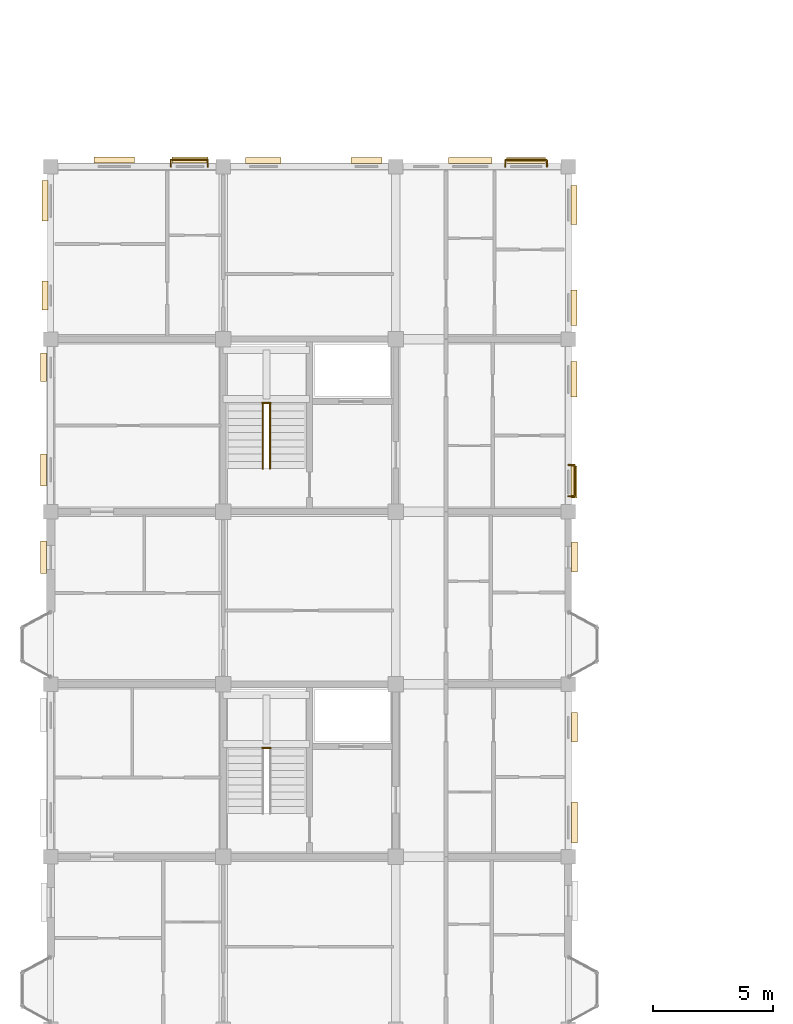
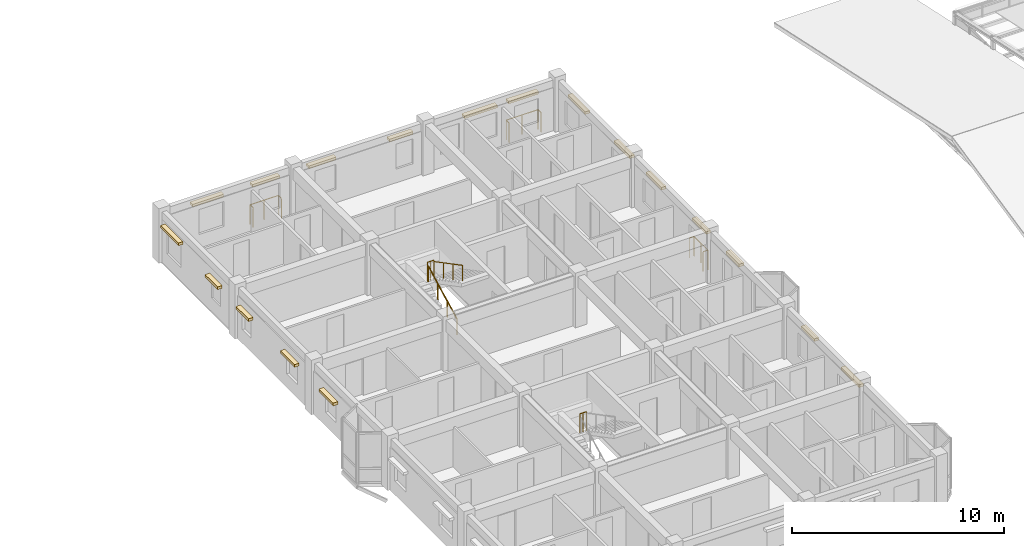
# One storey, part 118 of 124: 18 coverings, 7 railings.
"""IFC4 building model written with IfcOpenShell, lengths in metres."""

from ifc_helpers import new_model, si_unit, direction, frame, origin, origin_2d, place, context, subcontext, project, spatial, rectangle, circle, extrude, material, layer, layer_set, type_object, element, save


model = new_model("IFC4")

# Units and contexts
model_context = context("Model", 3, precision=1e-05, world=origin(), true_north=direction((0.0, 1.0)))
body_context = subcontext(model_context, "Body", "Model", "MODEL_VIEW")
ifc_project = project(units=[si_unit("LENGTHUNIT", "METRE"), si_unit("AREAUNIT", "SQUARE_METRE"), si_unit("VOLUMEUNIT", "CUBIC_METRE"), si_unit("PLANEANGLEUNIT", "RADIAN"), si_unit("MASSUNIT", "GRAM", prefix="KILO"), si_unit("THERMODYNAMICTEMPERATUREUNIT", "KELVIN"), si_unit("POWERUNIT", "WATT")], contexts=[model_context])

# Site, building, storey
site_placement = place(None, origin())
site = spatial("IfcSite", under=ifc_project, at=site_placement, CompositionType="ELEMENT")
building_placement = place(site_placement, origin())
building = spatial("IfcBuilding", under=site, at=building_placement, Name="Tavuni Mirador Residences", CompositionType="ELEMENT")
storey_placement = place(building_placement, frame((0.0, 0.0, 7.64990234375)))
storey = spatial("IfcBuildingStorey", under=building, at=storey_placement, Name="L02", CompositionType="ELEMENT", Elevation=7.64990234375)

# Coverings
ifc_material_1 = material(Name="Natural coral limestone", Category="masonry")
ifc_layer = layer(ifc_material_1, 0.054931640625, Name="Natural coral limestone", Category="masonry")
ifc_layer_set = layer_set([ifc_layer], Name="Natural coral limestone")
covering_type = type_object("IfcCoveringType", Name="CVT-CLAD-CORAL", PredefinedType="CLADDING", material=ifc_layer_set)
covering_1_placement = place(storey_placement, frame((25.467041015625, 73.429931640625, 2.065185546875), z_axis=(0.0, 0.0, 1.0), x_axis=(0.0, 1.0, 0.0)))
element("IfcCovering", 1, at=covering_1_placement, inside=storey, type_object=covering_type, Name="HOOD-0365", PredefinedType="CLADDING", context=body_context, shape_type="SweptSolid", body=[
    extrude(rectangle(XDim=1.699951171875, YDim=0.25, at=origin_2d()), origin(), (0.0, 0.0, 1.0), 0.14990234375),
])
covering_2_placement = place(storey_placement, frame((25.467041015625, 77.39990234375, 2.1650390625), z_axis=(0.0, 0.0, 1.0), x_axis=(0.0, 1.0, 0.0)))
element("IfcCovering", 2, at=covering_2_placement, inside=storey, type_object=covering_type, Name="HOOD-0366", PredefinedType="CLADDING", context=body_context, shape_type="SweptSolid", body=[
    extrude(rectangle(XDim=1.239990234375, YDim=0.25, at=origin_2d()), origin(), (0.0, 0.0, 1.0), 0.14990234375),
])
covering_3_placement = place(storey_placement, frame((25.464599609375, 84.5048828125, 2.16015625), z_axis=(0.0, 0.0, 1.0), x_axis=(0.0, 1.0, 0.0)))
element("IfcCovering", 3, at=covering_3_placement, inside=storey, type_object=covering_type, Name="HOOD-0367", PredefinedType="CLADDING", context=body_context, shape_type="SweptSolid", body=[
    extrude(rectangle(XDim=1.260009765625, YDim=0.260009765625, at=origin_2d()), origin(), (0.0, 0.0, 1.0), 0.159912109375),
])
covering_4_placement = place(storey_placement, frame((25.449462890625, 87.639892578125, 2.1650390625), z_axis=(0.0, 0.0, 1.0), x_axis=(0.0, 1.0, 0.0)))
element("IfcCovering", 4, at=covering_4_placement, inside=storey, type_object=covering_type, Name="HOOD-0368", PredefinedType="CLADDING", context=body_context, shape_type="SweptSolid", body=[
    extrude(rectangle(XDim=1.320068359375, YDim=0.25, at=origin_2d()), origin(), (0.0, 0.0, 1.0), 0.14990234375),
])
for number, where, z_axis, x_axis, name in (
    (5, (25.449462890625, 91.919921875, 2.1650390625), (0.0, 0.0, 1.0), (0.0, 1.0, 0.0), "HOOD-0369"),
    (6, (25.444580078125, 94.919921875, 2.1650390625), (0.0, 0.0, 1.0), (0.0, 1.0, 0.0), "HOOD-0370"),
):
    element("IfcCovering", number, at=place(storey_placement, frame(where, z_axis=z_axis, x_axis=x_axis)), inside=storey, type_object=covering_type, Name=name, PredefinedType="CLADDING", context=body_context, shape_type="SweptSolid", body=[
        extrude(rectangle(XDim=1.47998046875, YDim=0.25, at=origin_2d()), origin(), (0.0, 0.0, 1.0), 0.14990234375),
    ])
for number, where, z_axis, x_axis, name in (
    (7, (25.444580078125, 99.199951171875, 2.1650390625), (0.0, 0.0, 1.0), (0.0, 1.0, 0.0), "HOOD-0371"),
    (8, (23.43994140625, 101.0595703125, 2.1650390625), (0.0, 0.0, 1.0), (-1.0, 0.0, 0.0), "HOOD-0372"),
):
    element("IfcCovering", number, at=place(storey_placement, frame(where, z_axis=z_axis, x_axis=x_axis)), inside=storey, type_object=covering_type, Name=name, PredefinedType="CLADDING", context=body_context, shape_type="SweptSolid", body=[
        extrude(rectangle(XDim=1.639892578125, YDim=0.25, at=origin_2d()), origin(), (0.0, 0.0, 1.0), 0.14990234375),
    ])
covering_5_placement = place(storey_placement, frame((21.110107421875, 101.0595703125, 2.1650390625), z_axis=(0.0, 0.0, 1.0), x_axis=(-1.0, 0.0, 0.0)))
element("IfcCovering", 9, at=covering_5_placement, inside=storey, type_object=covering_type, Name="HOOD-0373", PredefinedType="CLADDING", context=body_context, shape_type="SweptSolid", body=[
    extrude(rectangle(XDim=1.800048828125, YDim=0.25, at=origin_2d()), origin(), (0.0, 0.0, 1.0), 0.14990234375),
])
covering_6_placement = place(storey_placement, frame((16.780029296875, 101.06689453125, 2.2451171875), z_axis=(0.0, 0.0, 1.0), x_axis=(-1.0, 0.0, 0.0)))
element("IfcCovering", 10, at=covering_6_placement, inside=storey, type_object=covering_type, Name="HOOD-0374", PredefinedType="CLADDING", context=body_context, shape_type="SweptSolid", body=[
    extrude(rectangle(XDim=1.280029296875, YDim=0.25, at=origin_2d()), origin(), (0.0, 0.0, 1.0), 0.14990234375),
])
for number, where, z_axis, x_axis, name in (
    (11, (12.47509765625, 101.06689453125, 2.2451171875), (0.0, 0.0, 1.0), (-1.0, 0.0, 0.0), "HOOD-0375"),
    (12, (9.409912109375, 101.074462890625, 2.2451171875), (0.0, 0.0, 1.0), (-1.0, 0.0, 0.0), "HOOD-0376"),
):
    element("IfcCovering", number, at=place(storey_placement, frame(where, z_axis=z_axis, x_axis=x_axis)), inside=storey, type_object=covering_type, Name=name, PredefinedType="CLADDING", context=body_context, shape_type="SweptSolid", body=[
        extrude(rectangle(XDim=1.489990234375, YDim=0.25, at=origin_2d()), origin(), (0.0, 0.0, 1.0), 0.14990234375),
    ])
for number, where, z_axis, x_axis, name in (
    (13, (6.25, 101.074462890625, 2.2451171875), (0.0, 0.0, 1.0), (-1.0, 0.0, 0.0), "HOOD-0377"),
    (14, (3.35546875, 99.375, 2.2451171875), (0.0, 0.0, 1.0), (0.0, -1.0, 0.0), "HOOD-0378"),
):
    element("IfcCovering", number, at=place(storey_placement, frame(where, z_axis=z_axis, x_axis=x_axis)), inside=storey, type_object=covering_type, Name=name, PredefinedType="CLADDING", context=body_context, shape_type="SweptSolid", body=[
        extrude(rectangle(XDim=1.68994140625, YDim=0.25, at=origin_2d()), origin(), (0.0, 0.0, 1.0), 0.14990234375),
    ])
for number, where, z_axis, x_axis, name in (
    (15, (3.35546875, 95.425048828125, 1.955078125), (0.0, 0.0, 1.0), (0.0, -1.0, 0.0), "HOOD-0379"),
    (16, (3.305419921875, 92.425048828125, 1.955078125), (0.0, 0.0, 1.0), (0.0, -1.0, 0.0), "HOOD-0380"),
):
    element("IfcCovering", number, at=place(storey_placement, frame(where, z_axis=z_axis, x_axis=x_axis)), inside=storey, type_object=covering_type, Name=name, PredefinedType="CLADDING", context=body_context, shape_type="SweptSolid", body=[
        extrude(rectangle(XDim=1.18994140625, YDim=0.25, at=origin_2d()), origin(), (0.0, 0.0, 1.0), 0.14990234375),
    ])
covering_7_placement = place(storey_placement, frame((3.305419921875, 88.14990234375, 1.955078125), z_axis=(0.0, 0.0, 1.0), x_axis=(0.0, -1.0, 0.0)))
element("IfcCovering", 17, at=covering_7_placement, inside=storey, type_object=covering_type, Name="HOOD-0381", PredefinedType="CLADDING", context=body_context, shape_type="SweptSolid", body=[
    extrude(rectangle(XDim=1.340087890625, YDim=0.25, at=origin_2d()), origin(), (0.0, 0.0, 1.0), 0.14990234375),
])
covering_8_placement = place(storey_placement, frame((3.300537109375, 84.4951171875, 1.9501953125), z_axis=(0.0, 0.0, 1.0), x_axis=(0.0, -1.0, 0.0)))
element("IfcCovering", 18, at=covering_8_placement, inside=storey, type_object=covering_type, Name="HOOD-0382", PredefinedType="CLADDING", context=body_context, shape_type="SweptSolid", body=[
    extrude(rectangle(XDim=1.360107421875, YDim=0.260009765625, at=origin_2d()), origin(), (0.0, 0.0, 1.0), 0.159912109375),
])

# Railings
ifc_material_2 = material(Name="Structural steel S355", Category="steel")
railing_type_1 = type_object("IfcRailingType", Name="RT-BL1150", PredefinedType="BALUSTRADE", material=ifc_material_2)
railing_1_placement = place(storey_placement, frame((25.199951171875, 87.050048828125, 0.0400390625)))
element("IfcRailing", 19, at=railing_1_placement, inside=storey, type_object=railing_type_1, Name="BALC-BLK-B-L02-E03", PredefinedType="BALUSTRADE", context=body_context, shape_type="SweptSolid", body=[
    extrude(circle(Radius=0.02392578125, at=origin_2d()), frame((0.0, 0.0, 1.1259765625), z_axis=(1.0, 0.0, 0.0), x_axis=(0.0, 1.0, 0.0)), (0.0, 0.0, 1.0), 0.267578125),
    extrude(circle(Radius=0.02392578125, at=origin_2d()), frame((0.267578125, 0.0, 1.1259765625), z_axis=(0.0, 1.0, 0.0), x_axis=(-1.0, 0.0, 0.0)), (0.0, 0.0, 1.0), 1.300048828125),
    extrude(circle(Radius=0.02392578125, at=origin_2d()), frame((0.267578125, 1.300048828125, 1.1259765625), z_axis=(-1.0, 0.0, 0.0), x_axis=(0.0, -1.0, 0.0)), (0.0, 0.0, 1.0), 0.267578125),
    extrude(circle(Radius=0.02099609375, at=origin_2d()), origin(), (0.0, 0.0, 1.0), 1.101806640625),
    extrude(circle(Radius=0.02099609375, at=origin_2d()), frame((0.267578125, 0.0, 0.0)), (0.0, 0.0, 1.0), 1.101806640625),
    extrude(circle(Radius=0.02099609375, at=origin_2d()), frame((0.267578125, 0.64990234375, 0.0)), (0.0, 0.0, 1.0), 1.101806640625),
    extrude(circle(Radius=0.02099609375, at=origin_2d()), frame((0.267578125, 1.300048828125, 0.0)), (0.0, 0.0, 1.0), 1.101806640625),
    extrude(circle(Radius=0.02099609375, at=origin_2d()), frame((0.0, 1.300048828125, 0.0)), (0.0, 0.0, 1.0), 1.101806640625),
])
railing_2_placement = place(storey_placement, frame((24.31005859375, 100.800048828125, 0.0400390625)))
element("IfcRailing", 20, at=railing_2_placement, inside=storey, type_object=railing_type_1, Name="BALC-BLK-B-L02-N02", PredefinedType="BALUSTRADE", context=body_context, shape_type="SweptSolid", body=[
    extrude(circle(Radius=0.02392578125, at=origin_2d()), frame((0.0, 0.0, 1.1259765625), z_axis=(0.0, 1.0, 0.0), x_axis=(-1.0, 0.0, 0.0)), (0.0, 0.0, 1.0), 0.27734375),
    extrude(circle(Radius=0.02392578125, at=origin_2d()), frame((0.0, 0.27734375, 1.1259765625), z_axis=(-1.0, 0.0, 0.0), x_axis=(0.0, -1.0, 0.0)), (0.0, 0.0, 1.0), 1.739990234375),
    extrude(circle(Radius=0.02392578125, at=origin_2d()), frame((-1.739990234375, 0.27734375, 1.1259765625), z_axis=(0.0, -1.0, 0.0), x_axis=(1.0, 0.0, 0.0)), (0.0, 0.0, 1.0), 0.27734375),
    extrude(circle(Radius=0.02099609375, at=origin_2d()), origin(), (0.0, 0.0, 1.0), 1.101806640625),
    extrude(circle(Radius=0.02099609375, at=origin_2d()), frame((0.0, 0.27734375, 0.0)), (0.0, 0.0, 1.0), 1.101806640625),
    extrude(circle(Radius=0.02099609375, at=origin_2d()), frame((-0.8701171875, 0.27734375, 0.0)), (0.0, 0.0, 1.0), 1.101806640625),
    extrude(circle(Radius=0.02099609375, at=origin_2d()), frame((-1.739990234375, 0.27734375, 0.0)), (0.0, 0.0, 1.0), 1.101806640625),
    extrude(circle(Radius=0.02099609375, at=origin_2d()), frame((-1.739990234375, 0.0, 0.0)), (0.0, 0.0, 1.0), 1.101806640625),
])
railing_3_placement = place(storey_placement, frame((10.14990234375, 100.800048828125, 0.0400390625)))
element("IfcRailing", 21, at=railing_3_placement, inside=storey, type_object=railing_type_1, Name="BALC-BLK-B-L02-N00", PredefinedType="BALUSTRADE", context=body_context, shape_type="SweptSolid", body=[
    extrude(circle(Radius=0.02392578125, at=origin_2d()), frame((0.0, 0.0, 1.1259765625), z_axis=(0.0, 1.0, 0.0), x_axis=(-1.0, 0.0, 0.0)), (0.0, 0.0, 1.0), 0.29248046875),
    extrude(circle(Radius=0.02392578125, at=origin_2d()), frame((0.0, 0.29248046875, 1.1259765625), z_axis=(-1.0, 0.0, 0.0), x_axis=(0.0, -1.0, 0.0)), (0.0, 0.0, 1.0), 1.534912109375),
    extrude(circle(Radius=0.02392578125, at=origin_2d()), frame((-1.534912109375, 0.29248046875, 1.1259765625), z_axis=(0.0, -1.0, 0.0), x_axis=(1.0, 0.0, 0.0)), (0.0, 0.0, 1.0), 0.29248046875),
    extrude(circle(Radius=0.02099609375, at=origin_2d()), origin(), (0.0, 0.0, 1.0), 1.101806640625),
    extrude(circle(Radius=0.02099609375, at=origin_2d()), frame((0.0, 0.29248046875, 0.0)), (0.0, 0.0, 1.0), 1.101806640625),
    extrude(circle(Radius=0.02099609375, at=origin_2d()), frame((-0.767578125, 0.29248046875, 0.0)), (0.0, 0.0, 1.0), 1.101806640625),
    extrude(circle(Radius=0.02099609375, at=origin_2d()), frame((-1.534912109375, 0.29248046875, 0.0)), (0.0, 0.0, 1.0), 1.101806640625),
    extrude(circle(Radius=0.02099609375, at=origin_2d()), frame((-1.534912109375, 0.0, 0.0)), (0.0, 0.0, 1.0), 1.101806640625),
])
railing_type_2 = type_object("IfcRailingType", Name="RT-GR1120", PredefinedType="GUARDRAIL", material=ifc_material_2)
for number, where, name in (
    (22, (12.419921875, 76.5400390625, 1.5751953125), "GRD-HL-ST3-L02"),
    (23, (12.419921875, 90.93994140625, 1.5751953125), "GRD-HL-ST4-L02"),
):
    element("IfcRailing", number, at=place(storey_placement, frame(where)), inside=storey, type_object=railing_type_2, Name=name, PredefinedType="GUARDRAIL", context=body_context, shape_type="SweptSolid", body=[
        extrude(circle(Radius=0.02392578125, at=origin_2d()), frame((0.0, 0.0, 1.09619140625), z_axis=(1.0, 0.0, 0.0), x_axis=(0.0, 1.0, 0.0)), (0.0, 0.0, 1.0), 0.360107421875),
        extrude(circle(Radius=0.02099609375, at=origin_2d()), origin(), (0.0, 0.0, 1.0), 1.072021484375),
        extrude(circle(Radius=0.02099609375, at=origin_2d()), frame((0.18017578125, 0.0, 0.0)), (0.0, 0.0, 1.0), 1.072021484375),
        extrude(circle(Radius=0.02099609375, at=origin_2d()), frame((0.360107421875, 0.0, 0.0)), (0.0, 0.0, 1.0), 1.072021484375),
    ])
railing_type_3 = type_object("IfcRailingType", Name="RT-HR920", PredefinedType="HANDRAIL", material=ifc_material_2)
railing_4_placement = place(storey_placement, frame((12.449951171875, 88.199951171875, 0.15771484375)))
element("IfcRailing", 24, at=railing_4_placement, inside=storey, type_object=railing_type_3, Name="HR-ST4-L02-F1", PredefinedType="HANDRAIL", context=body_context, shape_type="SweptSolid", body=[
    extrude(circle(Radius=0.02392578125, at=origin_2d()), frame((0.0, 0.0, 0.89599609375), z_axis=(0.0, 0.885397079081, 0.464835468048), x_axis=(-1.0, 0.0, 0.0)), (0.0, 0.0, 1.0), 3.04931640625),
    extrude(circle(Radius=0.02099609375, at=origin_2d()), origin(), (0.0, 0.0, 1.0), 0.871826171875),
    extrude(circle(Radius=0.02099609375, at=origin_2d()), frame((0.0, 0.89990234375, 0.472412109375)), (0.0, 0.0, 1.0), 0.871826171875),
    extrude(circle(Radius=0.02099609375, at=origin_2d()), frame((0.0, 1.800048828125, 0.945068359375)), (0.0, 0.0, 1.0), 0.871826171875),
    extrude(circle(Radius=0.02099609375, at=origin_2d()), frame((0.0, 2.699951171875, 1.41748046875)), (0.0, 0.0, 1.0), 0.871826171875),
])
railing_5_placement = place(storey_placement, frame((12.75, 90.89990234375, 1.732666015625)))
element("IfcRailing", 25, at=railing_5_placement, inside=storey, type_object=railing_type_3, Name="HR-ST4-L02-F2", PredefinedType="HANDRAIL", context=body_context, shape_type="SweptSolid", body=[
    extrude(circle(Radius=0.02392578125, at=origin_2d()), frame((0.0, 0.0, 0.89599609375), z_axis=(0.0, -0.885397079081, 0.464835468048), x_axis=(1.0, 0.0, 0.0)), (0.0, 0.0, 1.0), 3.04931640625),
    extrude(circle(Radius=0.02099609375, at=origin_2d()), origin(), (0.0, 0.0, 1.0), 0.871826171875),
    extrude(circle(Radius=0.02099609375, at=origin_2d()), frame((0.0, -0.89990234375, 0.472412109375)), (0.0, 0.0, 1.0), 0.871826171875),
    extrude(circle(Radius=0.02099609375, at=origin_2d()), frame((0.0, -1.800048828125, 0.945068359375)), (0.0, 0.0, 1.0), 0.871826171875),
    extrude(circle(Radius=0.02099609375, at=origin_2d()), frame((0.0, -2.699951171875, 1.41748046875)), (0.0, 0.0, 1.0), 0.871826171875),
])

save(model, "model.ifc")
